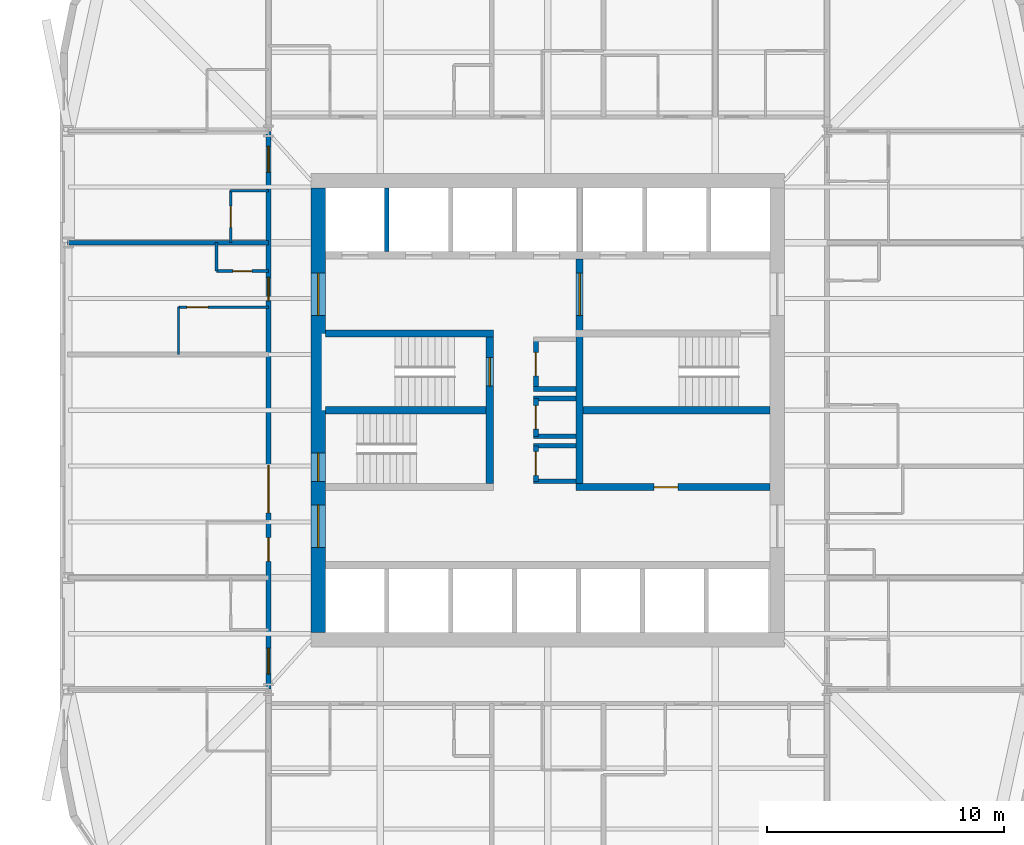
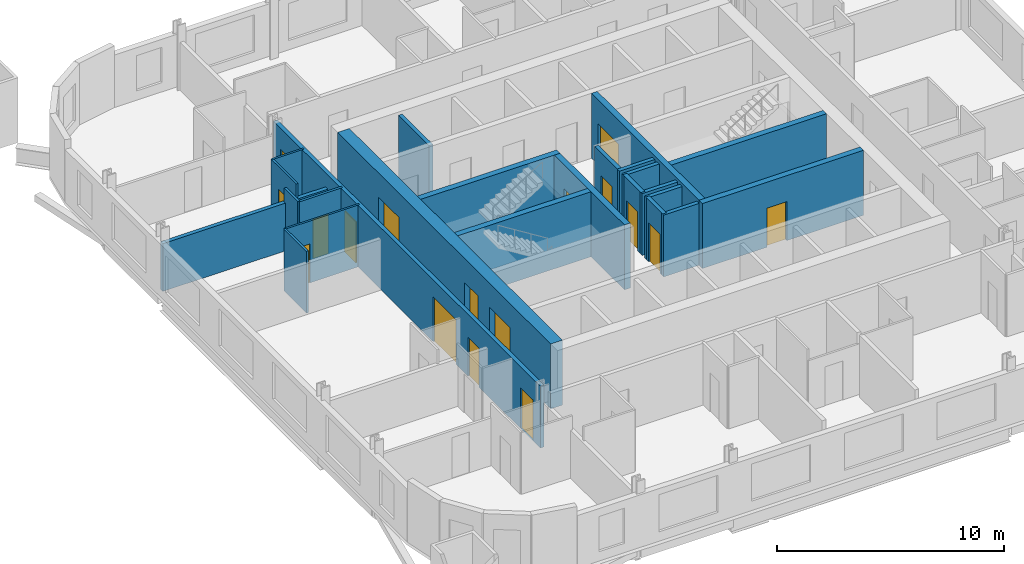
# One storey, part 4 of 9: 24 walls, 17 doors, 17 openings.
"""IFC4 building model written with IfcOpenShell, lengths in metres."""

from ifc_helpers import new_model, si_unit, direction, frame, frame_2d, origin, place, context, subcontext, project, spatial, rectangle, extrude, material, layer, layer_set, type_object, element, fill, save


model = new_model("IFC4")

# Units and contexts
model_context = context("Model", 3, precision=1e-05, world=origin(), true_north=direction((0.0, 1.0)))
body_context = subcontext(model_context, "Body", "Model", "MODEL_VIEW")
ifc_project = project(units=[si_unit("LENGTHUNIT", "METRE"), si_unit("AREAUNIT", "SQUARE_METRE"), si_unit("VOLUMEUNIT", "CUBIC_METRE"), si_unit("PLANEANGLEUNIT", "RADIAN"), si_unit("MASSUNIT", "GRAM", prefix="KILO")], contexts=[model_context])

# Site, building, storey
site_placement = place(None, origin())
site = spatial("IfcSite", under=ifc_project, at=site_placement, CompositionType="ELEMENT")
building_placement = place(site_placement, origin())
building = spatial("IfcBuilding", under=site, at=building_placement, Name="Turquesa Mirador Hotel Tower", CompositionType="ELEMENT")
storey_placement = place(building_placement, frame((0.0, 0.0, 100.39990234375)))
storey = spatial("IfcBuildingStorey", under=building, at=storey_placement, Name="L26", CompositionType="ELEMENT", Elevation=100.39990234375)

# Wall, opening, door
ifc_material_1 = material(Name="Gypsum board on steel studs", Category="steel")
ifc_layer_1 = layer(ifc_material_1, 0.10009765625)
ifc_layer_set_1 = layer_set([ifc_layer_1], Name="BATHROOM WALL 100")
wall_type_1 = type_object("IfcWallType", Name="BATHROOM WALL 100", PredefinedType="PARTITIONING", material=ifc_layer_set_1)
wall_1_placement = place(storey_placement, frame((39.39990234375, 49.360107421875, 0.0), z_axis=(0.0, 0.0, 1.0), x_axis=(1.0, 0.0, 0.0)))
wall_1 = element("IfcWall", 1, at=wall_1_placement, inside=storey, type_object=wall_type_1, Name="Partition L26 032", PredefinedType="PARTITIONING", context=body_context, shape_type="SweptSolid", body=[
    extrude(rectangle(XDim=3.800048828125, YDim=0.10009765625, at=frame_2d((1.89990234375, 0.0))), origin(), (0.0, 0.0, 1.0), 3.330078125),
])
opening_1_placement = place(wall_1_placement, frame((0.35009765625, 0.0, 0.0)))
opening_1 = element("IfcOpeningElement", 2, at=opening_1_placement, cuts=wall_1, Name="Opening D02", PredefinedType="OPENING", context=body_context, shape_type="SweptSolid", body=[
    extrude(rectangle(XDim=0.89990234375, YDim=2.10009765625, at=frame_2d((0.449951171875, 1.050048828125))), frame((0.0, 0.06005859375, 0.0), z_axis=(0.0, -1.0, 0.0), x_axis=(1.0, 0.0, 0.0)), (0.0, 0.0, 1.0), 0.1201171875),
])
ifc_material_2 = material(Name="Timber veneered door", Category="wood")
door_type_1 = type_object("IfcDoorType", Name="DOOR 900X2100 EN-SUITE", OperationType="SINGLE_SWING_RIGHT", PredefinedType="DOOR", material=ifc_material_2)
door_1_placement = place(opening_1_placement, origin())
door_1 = element("IfcDoor", 3, at=door_1_placement, inside=storey, type_object=door_type_1, Name="Door 2610B", OperationType="SINGLE_SWING_RIGHT", OverallHeight=2.10009765625, OverallWidth=0.89990234375, PredefinedType="DOOR", context=body_context, shape_type="SweptSolid", body=[
    extrude(rectangle(XDim=0.89990234375, YDim=2.10009765625, at=frame_2d((0.449951171875, 1.050048828125))), frame((0.0, 0.02490234375, 0.0), z_axis=(0.0, -1.0, 0.0), x_axis=(1.0, 0.0, 0.0)), (0.0, 0.0, 1.0), 0.050048828125),
])
fill(opening_1, door_1)

# Wall
wall_2_placement = place(storey_placement, frame((41.60009765625, 54.280029296875, 0.0), z_axis=(0.0, 0.0, 1.0), x_axis=(1.0, 0.0, 0.0)))
element("IfcWall", 4, at=wall_2_placement, inside=storey, type_object=wall_type_1, Name="Partition L26 037", PredefinedType="PARTITIONING", context=body_context, shape_type="SweptSolid", body=[
    extrude(rectangle(XDim=1.599853515625, YDim=0.10009765625, at=frame_2d((0.7998046875, 0.0))), origin(), (0.0, 0.0, 1.0), 3.330078125),
])

# Wall, opening, door
wall_3_placement = place(storey_placement, frame((41.60009765625, 52.080078125, 0.0), z_axis=(0.0, 0.0, 1.0), x_axis=(0.0, 1.0, 0.0)))
wall_3 = element("IfcWall", 5, at=wall_3_placement, inside=storey, type_object=wall_type_1, Name="Partition L26 045", PredefinedType="PARTITIONING", context=body_context, shape_type="SweptSolid", body=[
    extrude(rectangle(XDim=2.199951171875, YDim=0.10009765625, at=frame_2d((1.10009765625, 0.0))), origin(), (0.0, 0.0, 1.0), 3.330078125),
])
opening_2_placement = place(wall_3_placement, frame((0.64990234375, 0.0, 0.0)))
opening_2 = element("IfcOpeningElement", 6, at=opening_2_placement, cuts=wall_3, Name="Opening D06", PredefinedType="OPENING", context=body_context, shape_type="SweptSolid", body=[
    extrude(rectangle(XDim=0.89990234375, YDim=2.10009765625, at=frame_2d((0.449951171875, 1.050048828125))), frame((0.0, 0.06005859375, 0.0), z_axis=(0.0, -1.0, 0.0), x_axis=(1.0, 0.0, 0.0)), (0.0, 0.0, 1.0), 0.1201171875),
])
ifc_material_3 = material(Name="Laminate door", Category="wood")
door_type_2 = type_object("IfcDoorType", Name="DOOR 900X2100 WC", OperationType="SINGLE_SWING_LEFT", PredefinedType="DOOR", material=ifc_material_3)
door_2_placement = place(opening_2_placement, origin())
door_2 = element("IfcDoor", 7, at=door_2_placement, inside=storey, type_object=door_type_2, Name="Door 2612W", OperationType="SINGLE_SWING_LEFT", OverallHeight=2.10009765625, OverallWidth=0.89990234375, PredefinedType="DOOR", context=body_context, shape_type="SweptSolid", body=[
    extrude(rectangle(XDim=0.89990234375, YDim=2.10009765625, at=frame_2d((0.449951171875, 1.050048828125))), frame((0.0, 0.02490234375, 0.0), z_axis=(0.0, -1.0, 0.0), x_axis=(1.0, 0.0, 0.0)), (0.0, 0.0, 1.0), 0.050048828125),
])
fill(opening_2, door_2)

# Walls
wall_4_placement = place(storey_placement, frame((39.39990234375, 47.360107421875, 0.0), z_axis=(0.0, 0.0, 1.0), x_axis=(0.0, 1.0, 0.0)))
element("IfcWall", 8, at=wall_4_placement, inside=storey, type_object=wall_type_1, Name="Partition L26 050", PredefinedType="PARTITIONING", context=body_context, shape_type="SweptSolid", body=[
    extrude(rectangle(XDim=2.0, YDim=0.10009765625, at=frame_2d((1.0, 0.0))), origin(), (0.0, 0.0, 1.0), 3.330078125),
])
ifc_material_4 = material(Name="Concrete C50/60", Category="concrete")
ifc_layer_2 = layer(ifc_material_4, 0.300048828125)
ifc_layer_set_2 = layer_set([ifc_layer_2], Name="CORE INNER WALL 300")
wall_type_2 = type_object("IfcWallType", Name="CORE INNER WALL 300", PredefinedType="SHEAR", material=ifc_layer_set_2)
wall_5_placement = place(storey_placement, frame((45.60009765625, 48.25, 0.0), z_axis=(0.0, 0.0, 1.0), x_axis=(1.0, 0.0, 0.0)))
element("IfcWall", 9, at=wall_5_placement, inside=storey, type_object=wall_type_2, Name="Core wall MN-W", PredefinedType="SHEAR", context=body_context, shape_type="SweptSolid", body=[
    extrude(rectangle(XDim=7.099853515625, YDim=0.300048828125, at=frame_2d((3.5498046875, 0.0))), origin(), (0.0, 0.0, 1.0), 3.5),
])

# Wall, opening, door
wall_6_placement = place(storey_placement, frame((56.199951171875, 41.75, 0.0), z_axis=(0.0, 0.0, 1.0), x_axis=(1.0, 0.0, 0.0)))
wall_6 = element("IfcWall", 10, at=wall_6_placement, inside=storey, type_object=wall_type_2, Name="Core wall MS-E", PredefinedType="SHEAR", context=body_context, shape_type="SweptSolid", body=[
    extrude(rectangle(XDim=8.199951171875, YDim=0.300048828125, at=frame_2d((4.10009765625, 0.0))), origin(), (0.0, 0.0, 1.0), 3.5),
])
opening_3_placement = place(wall_6_placement, frame((3.300048828125, 0.0, 0.0)))
opening_3 = element("IfcOpeningElement", 11, at=opening_3_placement, cuts=wall_6, Name="Opening D05", PredefinedType="OPENING", context=body_context, shape_type="SweptSolid", body=[
    extrude(rectangle(XDim=1.0, YDim=2.10009765625, at=frame_2d((0.5, 1.050048828125))), frame((0.0, 0.159912109375, 0.0), z_axis=(0.0, -1.0, 0.0), x_axis=(1.0, 0.0, 0.0)), (0.0, 0.0, 1.0), 0.320068359375),
])
ifc_material_5 = material(Name="Steel fire door", Category="steel")
door_type_3 = type_object("IfcDoorType", Name="DOOR 1000X2100 SERVICE", OperationType="SINGLE_SWING_LEFT", PredefinedType="DOOR", material=ifc_material_5)
door_3_placement = place(opening_3_placement, origin())
door_3 = element("IfcDoor", 12, at=door_3_placement, inside=storey, type_object=door_type_3, Name="Housekeeping room door", OperationType="SINGLE_SWING_LEFT", OverallHeight=2.10009765625, OverallWidth=1.0, PredefinedType="DOOR", context=body_context, shape_type="SweptSolid", body=[
    extrude(rectangle(XDim=1.0, YDim=2.10009765625, at=frame_2d((0.5, 1.050048828125))), frame((0.0, 0.02490234375, 0.0), z_axis=(0.0, -1.0, 0.0), x_axis=(1.0, 0.0, 0.0)), (0.0, 0.0, 1.0), 0.050048828125),
])
fill(opening_3, door_3)

wall_7_placement = place(storey_placement, frame((52.550048828125, 41.89990234375, 0.0), z_axis=(0.0, 0.0, 1.0), x_axis=(0.0, 1.0, 0.0)))
wall_7 = element("IfcWall", 13, at=wall_7_placement, inside=storey, type_object=wall_type_2, Name="Core wall PW", PredefinedType="SHEAR", context=body_context, shape_type="SweptSolid", body=[
    extrude(rectangle(XDim=6.2001953125, YDim=0.300048828125, at=frame_2d((3.10009765625, 0.0))), origin(), (0.0, 0.0, 1.0), 3.5),
])
opening_4_placement = place(wall_7_placement, frame((4.125, 0.0, 0.0)))
opening_4 = element("IfcOpeningElement", 14, at=opening_4_placement, cuts=wall_7, Name="Opening D03", PredefinedType="OPENING", context=body_context, shape_type="SweptSolid", body=[
    extrude(rectangle(XDim=1.199951171875, YDim=2.199951171875, at=frame_2d((0.60009765625, 1.10009765625))), frame((0.0, 0.159912109375, 0.0), z_axis=(0.0, -1.0, 0.0), x_axis=(1.0, 0.0, 0.0)), (0.0, 0.0, 1.0), 0.320068359375),
])
ifc_material_6 = material(Name="Steel fire door", Category="steel")
door_type_4 = type_object("IfcDoorType", Name="DOOR 1200X2200 STAIR", OperationType="SINGLE_SWING_LEFT", PredefinedType="DOOR", material=ifc_material_6)
door_4_placement = place(opening_4_placement, origin())
door_4 = element("IfcDoor", 15, at=door_4_placement, inside=storey, type_object=door_type_4, Name="Stair ST1 door", OperationType="SINGLE_SWING_LEFT", OverallHeight=2.199951171875, OverallWidth=1.199951171875, PredefinedType="DOOR", context=body_context, shape_type="SweptSolid", body=[
    extrude(rectangle(XDim=1.199951171875, YDim=2.199951171875, at=frame_2d((0.60009765625, 1.10009765625))), frame((0.0, 0.02490234375, 0.0), z_axis=(0.0, -1.0, 0.0), x_axis=(1.0, 0.0, 0.0)), (0.0, 0.0, 1.0), 0.050048828125),
])
fill(opening_4, door_4)

wall_8_placement = place(storey_placement, frame((56.35009765625, 41.89990234375, 0.0), z_axis=(0.0, 0.0, 1.0), x_axis=(0.0, 1.0, 0.0)))
wall_8 = element("IfcWall", 16, at=wall_8_placement, inside=storey, type_object=wall_type_2, Name="Core wall PE", PredefinedType="SHEAR", context=body_context, shape_type="SweptSolid", body=[
    extrude(rectangle(XDim=9.5, YDim=0.300048828125, at=frame_2d((4.75, 0.0))), origin(), (0.0, 0.0, 1.0), 3.5),
])
opening_5_placement = place(wall_8_placement, frame((7.10009765625, 0.0, 0.0)))
opening_5 = element("IfcOpeningElement", 17, at=opening_5_placement, cuts=wall_8, Name="Opening D04", PredefinedType="OPENING", context=body_context, shape_type="SweptSolid", body=[
    extrude(rectangle(XDim=1.800048828125, YDim=2.199951171875, at=frame_2d((0.89990234375, 1.10009765625))), frame((0.0, 0.159912109375, 0.0), z_axis=(0.0, -1.0, 0.0), x_axis=(1.0, 0.0, 0.0)), (0.0, 0.0, 1.0), 0.320068359375),
])
ifc_material_7 = material(Name="Steel fire door pair", Category="steel")
door_type_5 = type_object("IfcDoorType", Name="DOOR 1800X2200 PAIR", OperationType="DOUBLE_DOOR_SINGLE_SWING", PredefinedType="DOOR", material=ifc_material_7)
door_5_placement = place(opening_5_placement, origin())
door_5 = element("IfcDoor", 18, at=door_5_placement, inside=storey, type_object=door_type_5, Name="Firefighting lobby inner door", OperationType="DOUBLE_DOOR_SINGLE_SWING", OverallHeight=2.199951171875, OverallWidth=1.800048828125, PredefinedType="DOOR", context=body_context, shape_type="SweptSolid", body=[
    extrude(rectangle(XDim=1.800048828125, YDim=2.199951171875, at=frame_2d((0.89990234375, 1.10009765625))), frame((0.0, 0.02490234375, 0.0), z_axis=(0.0, -1.0, 0.0), x_axis=(1.0, 0.0, 0.0)), (0.0, 0.0, 1.0), 0.050048828125),
])
fill(opening_5, door_5)

# Walls
wall_9_placement = place(storey_placement, frame((45.60009765625, 45.0, 0.0), z_axis=(0.0, 0.0, 1.0), x_axis=(1.0, 0.0, 0.0)))
element("IfcWall", 19, at=wall_9_placement, inside=storey, type_object=wall_type_2, Name="Core wall M0-W", PredefinedType="SHEAR", context=body_context, shape_type="SweptSolid", body=[
    extrude(rectangle(XDim=6.7998046875, YDim=0.300048828125, at=frame_2d((3.39990234375, 0.0))), origin(), (0.0, 0.0, 1.0), 3.5),
])
wall_10_placement = place(storey_placement, frame((56.5, 45.0, 0.0), z_axis=(0.0, 0.0, 1.0), x_axis=(1.0, 0.0, 0.0)))
element("IfcWall", 20, at=wall_10_placement, inside=storey, type_object=wall_type_2, Name="Core wall M0-E", PredefinedType="SHEAR", context=body_context, shape_type="SweptSolid", body=[
    extrude(rectangle(XDim=7.89990234375, YDim=0.300048828125, at=frame_2d((3.949951171875, 0.0))), origin(), (0.0, 0.0, 1.0), 3.5),
])

# Wall, openings, doors
ifc_material_8 = material(Name="Concrete C50/60", Category="concrete")
ifc_layer_3 = layer(ifc_material_8, 0.60009765625)
ifc_layer_set_3 = layer_set([ifc_layer_3], Name="CORE WALL 600")
wall_type_3 = type_object("IfcWallType", Name="CORE WALL 600", PredefinedType="SHEAR", material=ifc_layer_set_3)
wall_11_placement = place(storey_placement, frame((45.300048828125, 35.60009765625, 0.0), z_axis=(0.0, 0.0, 1.0), x_axis=(0.0, 1.0, 0.0)))
wall_11 = element("IfcWall", 21, at=wall_11_placement, inside=storey, type_object=wall_type_3, Name="Core wall W", PredefinedType="SHEAR", context=body_context, shape_type="SweptSolid", body=[
    extrude(rectangle(XDim=18.7998046875, YDim=0.60009765625, at=frame_2d((9.39990234375, 0.0))), origin(), (0.0, 0.0, 1.0), 3.5),
])
opening_6_placement = place(wall_11_placement, frame((13.39990234375, 0.0, 0.0)))
opening_6 = element("IfcOpeningElement", 22, at=opening_6_placement, cuts=wall_11, Name="Opening D04", PredefinedType="OPENING", context=body_context, shape_type="SweptSolid", body=[
    extrude(rectangle(XDim=1.800048828125, YDim=2.199951171875, at=frame_2d((0.89990234375, 1.10009765625))), frame((0.0, 0.31005859375, 0.0), z_axis=(0.0, -1.0, 0.0), x_axis=(1.0, 0.0, 0.0)), (0.0, 0.0, 1.0), 0.6201171875),
])
opening_7_placement = place(wall_11_placement, frame((3.60009765625, 0.0, 0.0)))
opening_7 = element("IfcOpeningElement", 23, at=opening_7_placement, cuts=wall_11, Name="Opening D04", PredefinedType="OPENING", context=body_context, shape_type="SweptSolid", body=[
    extrude(rectangle(XDim=1.800048828125, YDim=2.199951171875, at=frame_2d((0.89990234375, 1.10009765625))), frame((0.0, 0.31005859375, 0.0), z_axis=(0.0, -1.0, 0.0), x_axis=(1.0, 0.0, 0.0)), (0.0, 0.0, 1.0), 0.6201171875),
])
opening_8_placement = place(wall_11_placement, frame((6.39990234375, 0.0, 0.0)))
opening_8 = element("IfcOpeningElement", 24, at=opening_8_placement, cuts=wall_11, Name="Opening D03", PredefinedType="OPENING", context=body_context, shape_type="SweptSolid", body=[
    extrude(rectangle(XDim=1.199951171875, YDim=2.199951171875, at=frame_2d((0.60009765625, 1.10009765625))), frame((0.0, 0.31005859375, 0.0), z_axis=(0.0, -1.0, 0.0), x_axis=(1.0, 0.0, 0.0)), (0.0, 0.0, 1.0), 0.6201171875),
])
door_6_placement = place(opening_8_placement, origin())
door_6 = element("IfcDoor", 25, at=door_6_placement, inside=storey, type_object=door_type_4, Name="Stair ST2 door", OperationType="SINGLE_SWING_LEFT", OverallHeight=2.199951171875, OverallWidth=1.199951171875, PredefinedType="DOOR", context=body_context, shape_type="SweptSolid", body=[
    extrude(rectangle(XDim=1.199951171875, YDim=2.199951171875, at=frame_2d((0.60009765625, 1.10009765625))), frame((0.0, 0.02490234375, 0.0), z_axis=(0.0, -1.0, 0.0), x_axis=(1.0, 0.0, 0.0)), (0.0, 0.0, 1.0), 0.050048828125),
])
fill(opening_8, door_6)
door_7_placement = place(opening_6_placement, origin())
door_7 = element("IfcDoor", 26, at=door_7_placement, inside=storey, type_object=door_type_5, Name="North lift lobby door", OperationType="DOUBLE_DOOR_SINGLE_SWING", OverallHeight=2.199951171875, OverallWidth=1.800048828125, PredefinedType="DOOR", context=body_context, shape_type="SweptSolid", body=[
    extrude(rectangle(XDim=1.800048828125, YDim=2.199951171875, at=frame_2d((0.89990234375, 1.10009765625))), frame((0.0, 0.02490234375, 0.0), z_axis=(0.0, -1.0, 0.0), x_axis=(1.0, 0.0, 0.0)), (0.0, 0.0, 1.0), 0.050048828125),
])
fill(opening_6, door_7)
door_8_placement = place(opening_7_placement, origin())
door_8 = element("IfcDoor", 27, at=door_8_placement, inside=storey, type_object=door_type_5, Name="South lift lobby door", OperationType="DOUBLE_DOOR_SINGLE_SWING", OverallHeight=2.199951171875, OverallWidth=1.800048828125, PredefinedType="DOOR", context=body_context, shape_type="SweptSolid", body=[
    extrude(rectangle(XDim=1.800048828125, YDim=2.199951171875, at=frame_2d((0.89990234375, 1.10009765625))), frame((0.0, 0.02490234375, 0.0), z_axis=(0.0, -1.0, 0.0), x_axis=(1.0, 0.0, 0.0)), (0.0, 0.0, 1.0), 0.050048828125),
])
fill(opening_7, door_8)

ifc_material_9 = material(Name="Fire-rated gypsum board on steel studs", Category="steel")
ifc_layer_4 = layer(ifc_material_9, 0.199951171875)
ifc_layer_set_4 = layer_set([ifc_layer_4], Name="CORRIDOR WALL 200")
wall_type_4 = type_object("IfcWallType", Name="CORRIDOR WALL 200", PredefinedType="PARTITIONING", material=ifc_layer_set_4)
wall_12_placement = place(storey_placement, frame((43.199951171875, 33.219970703125, 0.0), z_axis=(0.0, 0.0, 1.0), x_axis=(0.0, 1.0, 0.0)))
wall_12 = element("IfcWall", 28, at=wall_12_placement, inside=storey, type_object=wall_type_4, Name="Partition L26 041", PredefinedType="PARTITIONING", context=body_context, shape_type="SweptSolid", body=[
    extrude(rectangle(XDim=23.56005859375, YDim=0.199951171875, at=frame_2d((11.780029296875, 0.0))), origin(), (0.0, 0.0, 1.0), 3.330078125),
])
opening_9_placement = place(wall_12_placement, frame((16.39990234375, 0.0, 0.0)))
opening_9 = element("IfcOpeningElement", 29, at=opening_9_placement, cuts=wall_12, Name="Opening D01", PredefinedType="OPENING", context=body_context, shape_type="SweptSolid", body=[
    extrude(rectangle(XDim=1.0, YDim=2.199951171875, at=frame_2d((0.5, 1.10009765625))), frame((0.0, 0.10986328125, 0.0), z_axis=(0.0, -1.0, 0.0), x_axis=(1.0, 0.0, 0.0)), (0.0, 0.0, 1.0), 0.219970703125),
])
opening_10_placement = place(wall_12_placement, frame((21.830078125, 0.0, 0.0)))
opening_10 = element("IfcOpeningElement", 30, at=opening_10_placement, cuts=wall_12, Name="Opening D15", PredefinedType="OPENING", context=body_context, shape_type="SweptSolid", body=[
    extrude(rectangle(XDim=1.10009765625, YDim=2.199951171875, at=frame_2d((0.550048828125, 1.10009765625))), frame((0.0, 0.10986328125, 0.0), z_axis=(0.0, -1.0, 0.0), x_axis=(1.0, 0.0, 0.0)), (0.0, 0.0, 1.0), 0.219970703125),
])
opening_11_placement = place(wall_12_placement, frame((0.6298828125, 0.0, 0.0)))
opening_11 = element("IfcOpeningElement", 31, at=opening_11_placement, cuts=wall_12, Name="Opening D15", PredefinedType="OPENING", context=body_context, shape_type="SweptSolid", body=[
    extrude(rectangle(XDim=1.10009765625, YDim=2.199951171875, at=frame_2d((0.550048828125, 1.10009765625))), frame((0.0, 0.10986328125, 0.0), z_axis=(0.0, -1.0, 0.0), x_axis=(1.0, 0.0, 0.0)), (0.0, 0.0, 1.0), 0.219970703125),
])
opening_12_placement = place(wall_12_placement, frame((7.449951171875, 0.0, 0.0)))
opening_12 = element("IfcOpeningElement", 32, at=opening_12_placement, cuts=wall_12, Name="Opening D18", PredefinedType="OPENING", context=body_context, shape_type="SweptSolid", body=[
    extrude(rectangle(XDim=2.0, YDim=2.39990234375, at=frame_2d((1.0, 1.199951171875))), frame((0.0, 0.10986328125, 0.0), z_axis=(0.0, -1.0, 0.0), x_axis=(1.0, 0.0, 0.0)), (0.0, 0.0, 1.0), 0.219970703125),
])
opening_13_placement = place(wall_12_placement, frame((5.39990234375, 0.0, 0.0)))
opening_13 = element("IfcOpeningElement", 33, at=opening_13_placement, cuts=wall_12, Name="Opening D05", PredefinedType="OPENING", context=body_context, shape_type="SweptSolid", body=[
    extrude(rectangle(XDim=1.0, YDim=2.10009765625, at=frame_2d((0.5, 1.050048828125))), frame((0.0, 0.10986328125, 0.0), z_axis=(0.0, -1.0, 0.0), x_axis=(1.0, 0.0, 0.0)), (0.0, 0.0, 1.0), 0.219970703125),
])
door_9_placement = place(opening_13_placement, origin())
door_9 = element("IfcDoor", 34, at=door_9_placement, inside=storey, type_object=door_type_3, Name="Door L26-LGP-1", OperationType="SINGLE_SWING_LEFT", OverallHeight=2.10009765625, OverallWidth=1.0, PredefinedType="DOOR", context=body_context, shape_type="SweptSolid", body=[
    extrude(rectangle(XDim=1.0, YDim=2.10009765625, at=frame_2d((0.5, 1.050048828125))), frame((0.0, 0.02490234375, 0.0), z_axis=(0.0, -1.0, 0.0), x_axis=(1.0, 0.0, 0.0)), (0.0, 0.0, 1.0), 0.050048828125),
])
fill(opening_13, door_9)
ifc_material_10 = material(Name="Timber veneered fire door", Category="wood")
door_type_6 = type_object("IfcDoorType", Name="DOOR 1000X2200 GUEST ENTRY", OperationType="SINGLE_SWING_LEFT", PredefinedType="DOOR", material=ifc_material_10)
door_10_placement = place(opening_9_placement, origin())
door_10 = element("IfcDoor", 35, at=door_10_placement, inside=storey, type_object=door_type_6, Name="Door 2610", OperationType="SINGLE_SWING_LEFT", OverallHeight=2.199951171875, OverallWidth=1.0, PredefinedType="DOOR", context=body_context, shape_type="SweptSolid", body=[
    extrude(rectangle(XDim=1.0, YDim=2.199951171875, at=frame_2d((0.5, 1.10009765625))), frame((0.0, 0.02490234375, 0.0), z_axis=(0.0, -1.0, 0.0), x_axis=(1.0, 0.0, 0.0)), (0.0, 0.0, 1.0), 0.050048828125),
])
fill(opening_9, door_10)
ifc_material_11 = material(Name="Timber veneered fire door", Category="wood")
door_type_7 = type_object("IfcDoorType", Name="DOOR 1100X2200 SUITE ENTRY", OperationType="SINGLE_SWING_LEFT", PredefinedType="DOOR", material=ifc_material_11)
door_11_placement = place(opening_10_placement, origin())
door_11 = element("IfcDoor", 36, at=door_11_placement, inside=storey, type_object=door_type_7, Name="Door 2612", OperationType="SINGLE_SWING_LEFT", OverallHeight=2.199951171875, OverallWidth=1.10009765625, PredefinedType="DOOR", context=body_context, shape_type="SweptSolid", body=[
    extrude(rectangle(XDim=1.10009765625, YDim=2.199951171875, at=frame_2d((0.550048828125, 1.10009765625))), frame((0.0, 0.02490234375, 0.0), z_axis=(0.0, -1.0, 0.0), x_axis=(1.0, 0.0, 0.0)), (0.0, 0.0, 1.0), 0.050048828125),
])
fill(opening_10, door_11)
door_12_placement = place(opening_11_placement, origin())
door_12 = element("IfcDoor", 37, at=door_12_placement, inside=storey, type_object=door_type_7, Name="Door 2613", OperationType="SINGLE_SWING_LEFT", OverallHeight=2.199951171875, OverallWidth=1.10009765625, PredefinedType="DOOR", context=body_context, shape_type="SweptSolid", body=[
    extrude(rectangle(XDim=1.10009765625, YDim=2.199951171875, at=frame_2d((0.550048828125, 1.10009765625))), frame((0.0, 0.02490234375, 0.0), z_axis=(0.0, -1.0, 0.0), x_axis=(1.0, 0.0, 0.0)), (0.0, 0.0, 1.0), 0.050048828125),
])
fill(opening_11, door_12)
ifc_material_12 = material(Name="Timber veneered fire door pair", Category="wood")
door_type_8 = type_object("IfcDoorType", Name="DOOR 2000X2400 LOUNGE PAIR", OperationType="DOUBLE_DOOR_SINGLE_SWING", PredefinedType="DOOR", material=ifc_material_12)
door_13_placement = place(opening_12_placement, origin())
door_13 = element("IfcDoor", 38, at=door_13_placement, inside=storey, type_object=door_type_8, Name="Door L26-LG", OperationType="DOUBLE_DOOR_SINGLE_SWING", OverallHeight=2.39990234375, OverallWidth=2.0, PredefinedType="DOOR", context=body_context, shape_type="SweptSolid", body=[
    extrude(rectangle(XDim=2.0, YDim=2.39990234375, at=frame_2d((1.0, 1.199951171875))), frame((0.0, 0.02490234375, 0.0), z_axis=(0.0, -1.0, 0.0), x_axis=(1.0, 0.0, 0.0)), (0.0, 0.0, 1.0), 0.050048828125),
])
fill(opening_12, door_13)

# Wall, opening, door
ifc_material_13 = material(Name="Fire-rated gypsum board on steel studs", Category="steel")
ifc_layer_5 = layer(ifc_material_13, 0.199951171875)
ifc_layer_set_5 = layer_set([ifc_layer_5], Name="FIRE PARTITION 200")
wall_type_5 = type_object("IfcWallType", Name="FIRE PARTITION 200", PredefinedType="PARTITIONING", material=ifc_layer_set_5)
wall_13_placement = place(storey_placement, frame((54.5, 42.0, 0.0), z_axis=(0.0, 0.0, 1.0), x_axis=(0.0, 1.0, 0.0)))
wall_13 = element("IfcWall", 39, at=wall_13_placement, inside=storey, type_object=wall_type_5, Name="Partition L26 BP W", PredefinedType="PARTITIONING", context=body_context, shape_type="SweptSolid", body=[
    extrude(rectangle(XDim=1.5, YDim=0.199951171875, at=frame_2d((0.75, 0.0))), origin(), (0.0, 0.0, 1.0), 3.330078125),
])
opening_14_placement = place(wall_13_placement, frame((0.25, 0.0, 0.0)))
opening_14 = element("IfcOpeningElement", 40, at=opening_14_placement, cuts=wall_13, Name="Opening D05", PredefinedType="OPENING", context=body_context, shape_type="SweptSolid", body=[
    extrude(rectangle(XDim=1.0, YDim=2.10009765625, at=frame_2d((0.5, 1.050048828125))), frame((0.0, 0.10986328125, 0.0), z_axis=(0.0, -1.0, 0.0), x_axis=(1.0, 0.0, 0.0)), (0.0, 0.0, 1.0), 0.219970703125),
])
door_14_placement = place(opening_14_placement, origin())
door_14 = element("IfcDoor", 41, at=door_14_placement, inside=storey, type_object=door_type_3, Name="Lounge pantry door", OperationType="SINGLE_SWING_LEFT", OverallHeight=2.10009765625, OverallWidth=1.0, PredefinedType="DOOR", context=body_context, shape_type="SweptSolid", body=[
    extrude(rectangle(XDim=1.0, YDim=2.10009765625, at=frame_2d((0.5, 1.050048828125))), frame((0.0, 0.02490234375, 0.0), z_axis=(0.0, -1.0, 0.0), x_axis=(1.0, 0.0, 0.0)), (0.0, 0.0, 1.0), 0.050048828125),
])
fill(opening_14, door_14)

# Walls
for number, where, z_axis, x_axis, name in (
    (42, (54.39990234375, 42.0, 0.0), (0.0, 0.0, 1.0), (1.0, 0.0, 0.0), "Partition L26 BP S"),
    (43, (54.39990234375, 43.5, 0.0), (0.0, 0.0, 1.0), (1.0, 0.0, 0.0), "Partition L26 BP N"),
):
    element("IfcWall", number, at=place(storey_placement, frame(where, z_axis=z_axis, x_axis=x_axis)), inside=storey, type_object=wall_type_5, Name=name, PredefinedType="PARTITIONING", context=body_context, shape_type="SweptSolid", body=[
        extrude(rectangle(XDim=1.800048828125, YDim=0.199951171875, at=frame_2d((0.89990234375, 0.0))), origin(), (0.0, 0.0, 1.0), 3.330078125),
    ])

# Wall, opening, door
wall_14_placement = place(storey_placement, frame((54.5, 43.89990234375, 0.0), z_axis=(0.0, 0.0, 1.0), x_axis=(0.0, 1.0, 0.0)))
wall_14 = element("IfcWall", 44, at=wall_14_placement, inside=storey, type_object=wall_type_5, Name="Partition L26 SW W", PredefinedType="PARTITIONING", context=body_context, shape_type="SweptSolid", body=[
    extrude(rectangle(XDim=1.60009765625, YDim=0.199951171875, at=frame_2d((0.800048828125, 0.0))), origin(), (0.0, 0.0, 1.0), 3.330078125),
])
opening_15_placement = place(wall_14_placement, frame((0.300048828125, 0.0, 0.0)))
opening_15 = element("IfcOpeningElement", 45, at=opening_15_placement, cuts=wall_14, Name="Opening D05", PredefinedType="OPENING", context=body_context, shape_type="SweptSolid", body=[
    extrude(rectangle(XDim=1.0, YDim=2.10009765625, at=frame_2d((0.5, 1.050048828125))), frame((0.0, 0.10986328125, 0.0), z_axis=(0.0, -1.0, 0.0), x_axis=(1.0, 0.0, 0.0)), (0.0, 0.0, 1.0), 0.219970703125),
])
door_15_placement = place(opening_15_placement, origin())
door_15 = element("IfcDoor", 46, at=door_15_placement, inside=storey, type_object=door_type_3, Name="Staff WC door", OperationType="SINGLE_SWING_LEFT", OverallHeight=2.10009765625, OverallWidth=1.0, PredefinedType="DOOR", context=body_context, shape_type="SweptSolid", body=[
    extrude(rectangle(XDim=1.0, YDim=2.10009765625, at=frame_2d((0.5, 1.050048828125))), frame((0.0, 0.02490234375, 0.0), z_axis=(0.0, -1.0, 0.0), x_axis=(1.0, 0.0, 0.0)), (0.0, 0.0, 1.0), 0.050048828125),
])
fill(opening_15, door_15)

# Walls
for number, where, z_axis, x_axis, name in (
    (47, (54.39990234375, 43.89990234375, 0.0), (0.0, 0.0, 1.0), (1.0, 0.0, 0.0), "Partition L26 SW S"),
    (48, (54.39990234375, 45.5, 0.0), (0.0, 0.0, 1.0), (1.0, 0.0, 0.0), "Partition L26 SW N"),
):
    element("IfcWall", number, at=place(storey_placement, frame(where, z_axis=z_axis, x_axis=x_axis)), inside=storey, type_object=wall_type_5, Name=name, PredefinedType="PARTITIONING", context=body_context, shape_type="SweptSolid", body=[
        extrude(rectangle(XDim=1.800048828125, YDim=0.199951171875, at=frame_2d((0.89990234375, 0.0))), origin(), (0.0, 0.0, 1.0), 3.330078125),
    ])

# Wall, opening, door
wall_15_placement = place(storey_placement, frame((54.5, 45.89990234375, 0.0), z_axis=(0.0, 0.0, 1.0), x_axis=(0.0, 1.0, 0.0)))
wall_15 = element("IfcWall", 49, at=wall_15_placement, inside=storey, type_object=wall_type_5, Name="Partition L26 BO W", PredefinedType="PARTITIONING", context=body_context, shape_type="SweptSolid", body=[
    extrude(rectangle(XDim=2.10009765625, YDim=0.199951171875, at=frame_2d((1.050048828125, 0.0))), origin(), (0.0, 0.0, 1.0), 3.330078125),
])
opening_16_placement = place(wall_15_placement, frame((0.550048828125, 0.0, 0.0)))
opening_16 = element("IfcOpeningElement", 50, at=opening_16_placement, cuts=wall_15, Name="Opening D05", PredefinedType="OPENING", context=body_context, shape_type="SweptSolid", body=[
    extrude(rectangle(XDim=1.0, YDim=2.10009765625, at=frame_2d((0.5, 1.050048828125))), frame((0.0, 0.10986328125, 0.0), z_axis=(0.0, -1.0, 0.0), x_axis=(1.0, 0.0, 0.0)), (0.0, 0.0, 1.0), 0.219970703125),
])
door_16_placement = place(opening_16_placement, origin())
door_16 = element("IfcDoor", 51, at=door_16_placement, inside=storey, type_object=door_type_3, Name="Butler's pantry door", OperationType="SINGLE_SWING_LEFT", OverallHeight=2.10009765625, OverallWidth=1.0, PredefinedType="DOOR", context=body_context, shape_type="SweptSolid", body=[
    extrude(rectangle(XDim=1.0, YDim=2.10009765625, at=frame_2d((0.5, 1.050048828125))), frame((0.0, 0.02490234375, 0.0), z_axis=(0.0, -1.0, 0.0), x_axis=(1.0, 0.0, 0.0)), (0.0, 0.0, 1.0), 0.050048828125),
])
fill(opening_16, door_16)

# Walls
wall_16_placement = place(storey_placement, frame((54.39990234375, 45.89990234375, 0.0), z_axis=(0.0, 0.0, 1.0), x_axis=(1.0, 0.0, 0.0)))
element("IfcWall", 52, at=wall_16_placement, inside=storey, type_object=wall_type_5, Name="Partition L26 BO S", PredefinedType="PARTITIONING", context=body_context, shape_type="SweptSolid", body=[
    extrude(rectangle(XDim=1.800048828125, YDim=0.199951171875, at=frame_2d((0.89990234375, 0.0))), origin(), (0.0, 0.0, 1.0), 3.330078125),
])
ifc_material_14 = material(Name="Fire-rated gypsum shaft wall on steel studs", Category="steel")
ifc_layer_6 = layer(ifc_material_14, 0.199951171875)
ifc_layer_set_6 = layer_set([ifc_layer_6], Name="LIFT SHAFT DIVIDER 200")
wall_type_6 = type_object("IfcWallType", Name="LIFT SHAFT DIVIDER 200", PredefinedType="PARTITIONING", material=ifc_layer_set_6)
wall_17_placement = place(storey_placement, frame((48.199951171875, 51.699951171875, 0.0), z_axis=(0.0, 0.0, 1.0), x_axis=(0.0, 1.0, 0.0)))
element("IfcWall", 53, at=wall_17_placement, inside=storey, type_object=wall_type_6, Name="Lift shaft divider", PredefinedType="PARTITIONING", context=body_context, shape_type="SweptSolid", body=[
    extrude(rectangle(XDim=2.699951171875, YDim=0.199951171875, at=frame_2d((1.35009765625, 0.0))), origin(), (0.0, 0.0, 1.0), 3.330078125),
])
ifc_material_15 = material(Name="Fire-rated gypsum board on steel studs", Category="steel")
ifc_layer_7 = layer(ifc_material_15, 0.199951171875)
ifc_layer_set_7 = layer_set([ifc_layer_7], Name="PARTY WALL 200")
wall_type_7 = type_object("IfcWallType", Name="PARTY WALL 200", PredefinedType="PARTITIONING", material=ifc_layer_set_7)
wall_18_placement = place(storey_placement, frame((34.699951171875, 52.080078125, 0.0), z_axis=(0.0, 0.0, 1.0), x_axis=(1.0, 0.0, 0.0)))
element("IfcWall", 54, at=wall_18_placement, inside=storey, type_object=wall_type_7, Name="Partition L26 035", PredefinedType="PARTITIONING", context=body_context, shape_type="SweptSolid", body=[
    extrude(rectangle(XDim=8.5, YDim=0.199951171875, at=frame_2d((4.25, 0.0))), origin(), (0.0, 0.0, 1.0), 2.5732421875),
])

# Wall, opening, door
ifc_material_16 = material(Name="Acoustic gypsum board on steel studs", Category="steel")
ifc_layer_8 = layer(ifc_material_16, 0.125)
ifc_layer_set_8 = layer_set([ifc_layer_8], Name="SUITE PARTITION 125")
wall_type_8 = type_object("IfcWallType", Name="SUITE PARTITION 125", PredefinedType="PARTITIONING", material=ifc_layer_set_8)
wall_19_placement = place(storey_placement, frame((41.0, 50.8798828125, 0.0), z_axis=(0.0, 0.0, 1.0), x_axis=(1.0, 0.0, 0.0)))
wall_19 = element("IfcWall", 55, at=wall_19_placement, inside=storey, type_object=wall_type_8, Name="Partition L26 034", PredefinedType="PARTITIONING", context=body_context, shape_type="SweptSolid", body=[
    extrude(rectangle(XDim=2.199951171875, YDim=0.125, at=frame_2d((1.10009765625, 0.0))), origin(), (0.0, 0.0, 1.0), 3.330078125),
])
opening_17_placement = place(wall_19_placement, frame((0.699951171875, 0.0, 0.0)))
opening_17 = element("IfcOpeningElement", 56, at=opening_17_placement, cuts=wall_19, Name="Opening D20", PredefinedType="OPENING", context=body_context, shape_type="SweptSolid", body=[
    extrude(rectangle(XDim=0.800048828125, YDim=2.10009765625, at=frame_2d((0.39990234375, 1.050048828125))), frame((0.0, 0.072509765625, 0.0), z_axis=(0.0, -1.0, 0.0), x_axis=(1.0, 0.0, 0.0)), (0.0, 0.0, 1.0), 0.14501953125),
])
ifc_material_17 = material(Name="Timber veneered sliding door", Category="wood")
door_type_9 = type_object("IfcDoorType", Name="DOOR 800X2100 WARDROBE", OperationType="SLIDING_TO_LEFT", PredefinedType="DOOR", material=ifc_material_17)
door_17_placement = place(opening_17_placement, origin())
door_17 = element("IfcDoor", 57, at=door_17_placement, inside=storey, type_object=door_type_9, Name="Door 2610W", OperationType="SLIDING_TO_LEFT", OverallHeight=2.10009765625, OverallWidth=0.800048828125, PredefinedType="DOOR", context=body_context, shape_type="SweptSolid", body=[
    extrude(rectangle(XDim=0.800048828125, YDim=2.10009765625, at=frame_2d((0.39990234375, 1.050048828125))), frame((0.0, 0.02490234375, 0.0), z_axis=(0.0, -1.0, 0.0), x_axis=(1.0, 0.0, 0.0)), (0.0, 0.0, 1.0), 0.050048828125),
])
fill(opening_17, door_17)

# Wall
wall_20_placement = place(storey_placement, frame((41.0, 50.8798828125, 0.0), z_axis=(0.0, 0.0, 1.0), x_axis=(0.0, 1.0, 0.0)))
element("IfcWall", 58, at=wall_20_placement, inside=storey, type_object=wall_type_8, Name="Partition L26 046", PredefinedType="PARTITIONING", context=body_context, shape_type="SweptSolid", body=[
    extrude(rectangle(XDim=1.2001953125, YDim=0.125, at=frame_2d((0.60009765625, 0.0))), origin(), (0.0, 0.0, 1.0), 3.330078125),
])

save(model, "model.ifc")
